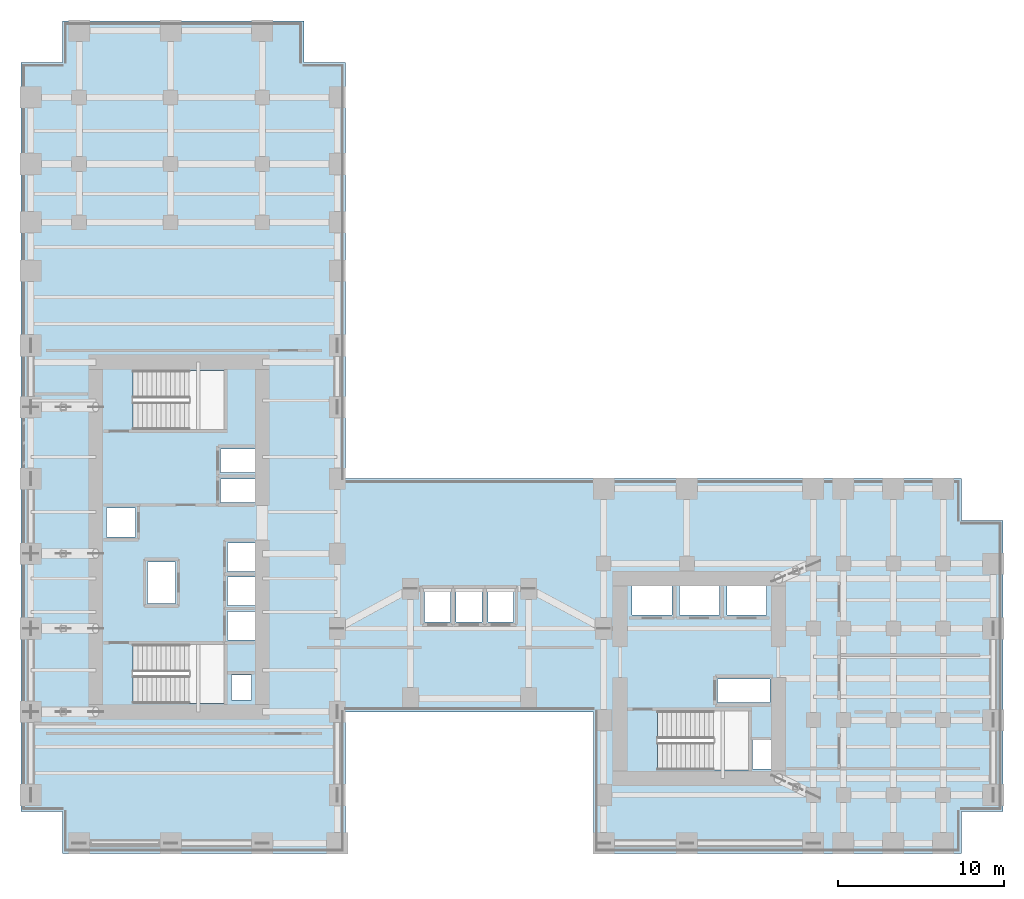
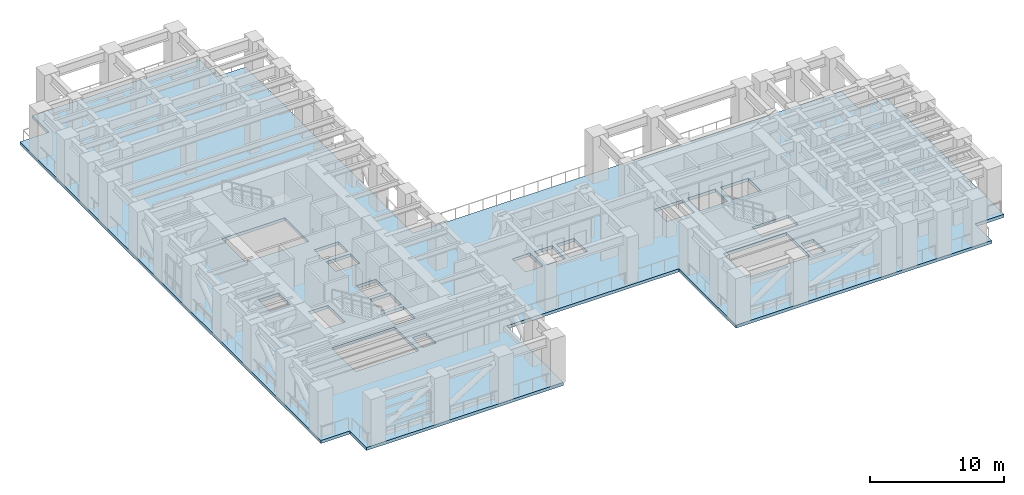
# One storey, part 8 of 16: 1 slab.
"""IFC4 building model written with IfcOpenShell, lengths in metres."""

from ifc_helpers import new_model, si_unit, direction, frame, origin, place, context, subcontext, project, spatial, polyline, outline, extrude, material, layer, layer_set, type_object, element, save


model = new_model("IFC4")

# Units and contexts
model_context = context("Model", 3, precision=1e-05, world=origin(), true_north=direction((0.0, 1.0)))
body_context = subcontext(model_context, "Body", "Model", "MODEL_VIEW")
ifc_project = project(units=[si_unit("LENGTHUNIT", "METRE"), si_unit("AREAUNIT", "SQUARE_METRE"), si_unit("VOLUMEUNIT", "CUBIC_METRE"), si_unit("PLANEANGLEUNIT", "RADIAN"), si_unit("MASSUNIT", "GRAM", prefix="KILO")], contexts=[model_context])

# Site, building, storey
site_placement = place(None, origin())
site = spatial("IfcSite", under=ifc_project, at=site_placement, CompositionType="ELEMENT")
building_placement = place(site_placement, origin())
building = spatial("IfcBuilding", under=site, at=building_placement, Name="Kharzan Plaza Tower", CompositionType="ELEMENT")
storey_placement = place(building_placement, frame((0.0, 0.0, 72.89990234375)))
storey = spatial("IfcBuildingStorey", under=building, at=storey_placement, Name="L19", CompositionType="ELEMENT", Elevation=72.89990234375)

# Slab
ifc_material = material(Name="Concrete C40/50", Category="concrete")
ifc_layer = layer(ifc_material, 0.280029296875)
ifc_layer_set = layer_set([ifc_layer], Name="Concrete C40/50")
slab_type = type_object("IfcSlabType", Name="SL-FLOOR-280", PredefinedType="FLOOR", material=ifc_layer_set)
slab_placement = place(storey_placement, frame((0.0, 0.0, -0.27978515625)))
element("IfcSlab", 1, at=slab_placement, inside=storey, type_object=slab_type, Name="L19 Composite Structural Floor Slab 280 mm", PredefinedType="FLOOR", context=body_context, shape_type="SweptSolid", body=[
    extrude(outline(polyline([(34.39990234375, 22.5), (19.5, 22.5), (19.5, 47.5), (17.0, 47.5), (17.0, 50.0), (2.5, 50.0), (2.5, 47.5), (0.0, 47.5), (0.0, 2.5), (2.5, 2.5), (2.5, 0.0), (19.5, 0.0), (19.5, 8.5), (34.39990234375, 8.5), (34.39990234375, 0.0), (56.5, 0.0), (56.5, 2.5), (59.0, 2.5), (59.0, 20.0), (56.5, 20.0), (56.5, 22.5), (34.39990234375, 22.5)]), holes=[polyline([(13.85009765625, 9.199951171875), (13.85009765625, 10.699951171875), (12.64990234375, 10.699951171875), (12.64990234375, 9.199951171875), (13.85009765625, 9.199951171875)]), polyline([(12.199951171875, 9.0), (12.199951171875, 12.550048828125), (6.75, 12.550048828125), (6.75, 9.0), (12.199951171875, 9.0)]), polyline([(14.10009765625, 12.800048828125), (14.10009765625, 14.530029296875), (12.39990234375, 14.530029296875), (12.39990234375, 12.800048828125), (14.10009765625, 12.800048828125)]), polyline([(14.10009765625, 14.8701171875), (14.10009765625, 16.60009765625), (12.39990234375, 16.60009765625), (12.39990234375, 14.8701171875), (14.10009765625, 14.8701171875)]), polyline([(9.300048828125, 15.0), (9.300048828125, 17.5), (7.60009765625, 17.5), (7.60009765625, 15.0), (9.300048828125, 15.0)]), polyline([(14.10009765625, 16.93994140625), (14.10009765625, 18.64990234375), (12.39990234375, 18.64990234375), (12.39990234375, 16.93994140625), (14.10009765625, 16.93994140625)]), polyline([(6.89990234375, 19.010009765625), (6.89990234375, 20.72998046875), (5.14990234375, 20.72998046875), (5.14990234375, 19.010009765625), (6.89990234375, 19.010009765625)]), polyline([(12.0, 21.070068359375), (14.10009765625, 21.070068359375), (14.10009765625, 22.489990234375), (12.0, 22.489990234375), (12.0, 21.070068359375)]), polyline([(12.0, 22.8701171875), (14.10009765625, 22.8701171875), (14.10009765625, 24.2900390625), (12.0, 24.2900390625), (12.0, 22.8701171875)]), polyline([(12.199951171875, 25.449951171875), (12.199951171875, 29.0), (6.75, 29.0), (6.75, 25.449951171875), (12.199951171875, 25.449951171875)]), polyline([(45.050048828125, 5.050048828125), (45.050048828125, 6.800048828125), (43.949951171875, 6.800048828125), (43.949951171875, 5.050048828125), (45.050048828125, 5.050048828125)]), polyline([(43.699951171875, 5.0), (43.699951171875, 8.550048828125), (38.25, 8.550048828125), (38.25, 5.0), (43.699951171875, 5.0)]), polyline([(41.85009765625, 9.070068359375), (45.0, 9.070068359375), (45.0, 10.469970703125), (41.85009765625, 10.469970703125), (41.85009765625, 9.070068359375)]), polyline([(24.25, 13.89990234375), (25.800048828125, 13.89990234375), (25.800048828125, 15.85009765625), (24.25, 15.85009765625), (24.25, 13.89990234375)]), polyline([(27.699951171875, 13.89990234375), (27.699951171875, 15.85009765625), (26.14990234375, 15.85009765625), (26.14990234375, 13.89990234375), (27.699951171875, 13.89990234375)]), polyline([(29.60009765625, 13.89990234375), (29.60009765625, 15.85009765625), (28.050048828125, 15.85009765625), (28.050048828125, 13.89990234375), (29.60009765625, 13.89990234375)]), polyline([(39.10009765625, 14.300048828125), (39.10009765625, 16.14990234375), (36.699951171875, 16.14990234375), (36.699951171875, 14.300048828125), (39.10009765625, 14.300048828125)]), polyline([(39.550048828125, 14.300048828125), (41.949951171875, 14.300048828125), (41.949951171875, 16.14990234375), (39.550048828125, 16.14990234375), (39.550048828125, 14.300048828125)]), polyline([(42.39990234375, 14.300048828125), (44.800048828125, 14.300048828125), (44.800048828125, 16.14990234375), (42.39990234375, 16.14990234375), (42.39990234375, 14.300048828125)])]), origin(), (0.0, 0.0, 1.0), 0.27978515625),
])

save(model, "model.ifc")
